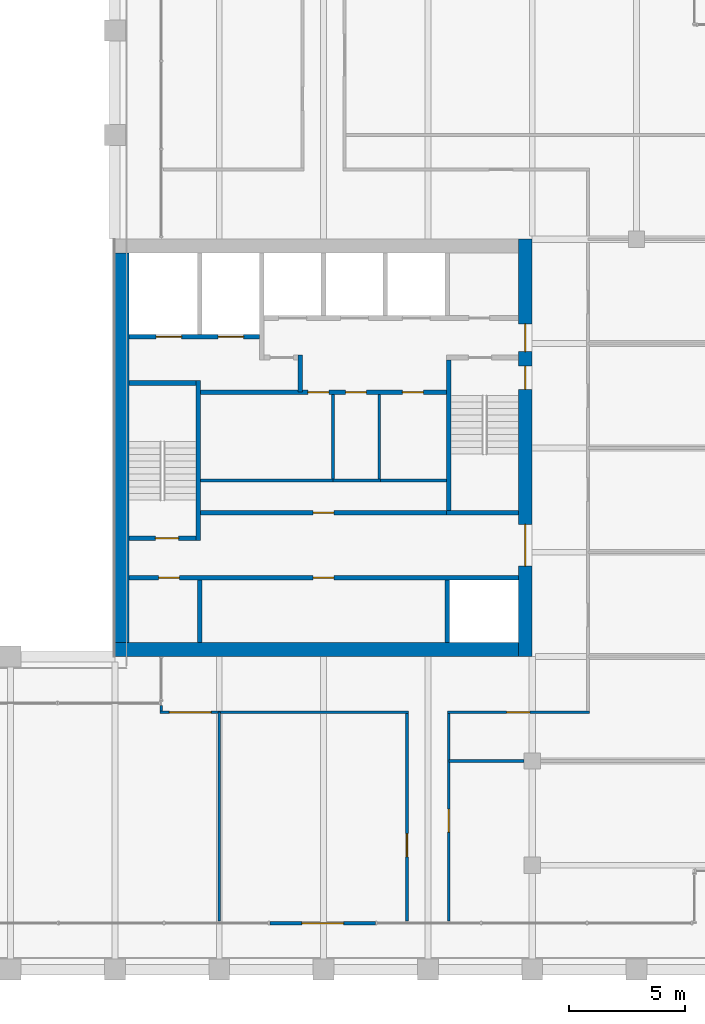
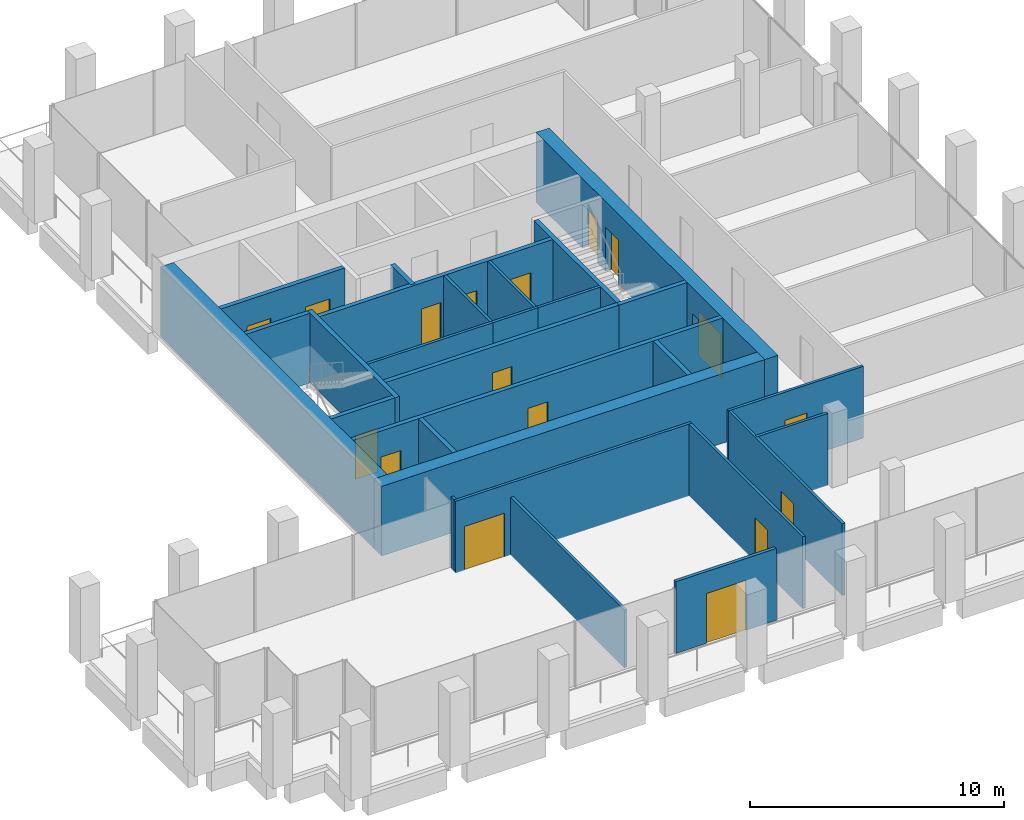
# One storey, part 36 of 40: 28 walls, 17 doors, 17 openings.
"""IFC4 building model written with IfcOpenShell, lengths in metres."""

from ifc_helpers import new_model, si_unit, direction, frame, frame_2d, origin, place, context, subcontext, project, spatial, rectangle, extrude, material, layer, layer_set, type_object, element, fill, save


model = new_model("IFC4")

# Units and contexts
model_context = context("Model", 3, precision=1e-05, world=origin(), true_north=direction((0.0, 1.0)))
body_context = subcontext(model_context, "Body", "Model", "MODEL_VIEW")
ifc_project = project(units=[si_unit("LENGTHUNIT", "METRE"), si_unit("AREAUNIT", "SQUARE_METRE"), si_unit("VOLUMEUNIT", "CUBIC_METRE"), si_unit("PLANEANGLEUNIT", "RADIAN"), si_unit("MASSUNIT", "GRAM", prefix="KILO")], contexts=[model_context])

# Site, building, storey
site_placement = place(None, origin())
site = spatial("IfcSite", under=ifc_project, at=site_placement, CompositionType="ELEMENT")
building_placement = place(site_placement, origin())
building = spatial("IfcBuilding", under=site, at=building_placement, Name="Altepetl Exchange Towers", CompositionType="ELEMENT")
storey_placement = place(building_placement, frame((0.0, 0.0, 179.800048828125)))
storey = spatial("IfcBuildingStorey", under=building, at=storey_placement, Name="L45", CompositionType="ELEMENT", Elevation=179.800048828125)

# Wall, openings, doors
ifc_material_1 = material(Name="Concrete C70/85", Category="concrete")
ifc_layer_1 = layer(ifc_material_1, 0.60009765625)
ifc_layer_set_1 = layer_set([ifc_layer_1], Name="Concrete C70/85")
wall_type_1 = type_object("IfcWallType", Name="Core wall 600 reinforced concrete", PredefinedType="SHEAR", material=ifc_layer_set_1)
wall_1_placement = place(storey_placement, frame((58.199951171875, 40.5, 0.0), z_axis=(0.0, 0.0, 1.0), x_axis=(0.0, 1.0, 0.0)))
wall_1 = element("IfcWall", 1, at=wall_1_placement, inside=storey, type_object=wall_type_1, Name="wall:A:L45:K-coreE", PredefinedType="SHEAR", context=body_context, shape_type="SweptSolid", body=[
    extrude(rectangle(XDim=18.0, YDim=0.60009765625, at=frame_2d((9.0, 0.0))), origin(), (0.0, 0.0, 1.0), 3.349853515625),
])
opening_1_placement = place(wall_1_placement, frame((13.14990234375, 0.0, 0.0)))
opening_1 = element("IfcOpeningElement", 2, at=opening_1_placement, cuts=wall_1, Name="Opening L45.A60", PredefinedType="OPENING", context=body_context, shape_type="SweptSolid", body=[
    extrude(rectangle(XDim=1.199951171875, YDim=2.10009765625, at=frame_2d((0.60009765625, 1.050048828125))), frame((0.0, 0.31005859375, 0.0), z_axis=(0.0, -1.0, 0.0), x_axis=(1.0, 0.0, 0.0)), (0.0, 0.0, 1.0), 0.6201171875),
])
opening_2_placement = place(wall_1_placement, frame((3.89990234375, 0.0, 0.0)))
opening_2 = element("IfcOpeningElement", 3, at=opening_2_placement, cuts=wall_1, Name="Opening L45.A61", PredefinedType="OPENING", context=body_context, shape_type="SweptSolid", body=[
    extrude(rectangle(XDim=1.800048828125, YDim=2.10009765625, at=frame_2d((0.89990234375, 1.050048828125))), frame((0.0, 0.31005859375, 0.0), z_axis=(0.0, -1.0, 0.0), x_axis=(1.0, 0.0, 0.0)), (0.0, 0.0, 1.0), 0.6201171875),
])
opening_3_placement = place(wall_1_placement, frame((11.52490234375, 0.0, 0.0)))
opening_3 = element("IfcOpeningElement", 4, at=opening_3_placement, cuts=wall_1, Name="Opening L45.A64", PredefinedType="OPENING", context=body_context, shape_type="SweptSolid", body=[
    extrude(rectangle(XDim=1.0, YDim=2.10009765625, at=frame_2d((0.5, 1.050048828125))), frame((0.0, 0.31005859375, 0.0), z_axis=(0.0, -1.0, 0.0), x_axis=(1.0, 0.0, 0.0)), (0.0, 0.0, 1.0), 0.6201171875),
])
ifc_material_2 = material(Name="Steel and timber fire door", Category="steel")
door_type_1 = type_object("IfcDoorType", Name="Fire door 1000 x 2100 stair and lobby", OperationType="SINGLE_SWING_LEFT", PredefinedType="DOOR", material=ifc_material_2)
door_1_placement = place(opening_3_placement, origin())
door_1 = element("IfcDoor", 5, at=door_1_placement, inside=storey, type_object=door_type_1, Name="door:A:L45:K-dS2x", OperationType="SINGLE_SWING_RIGHT", OverallHeight=2.10009765625, OverallWidth=1.0, PredefinedType="DOOR", context=body_context, shape_type="SweptSolid", body=[
    extrude(rectangle(XDim=1.0, YDim=2.10009765625, at=frame_2d((0.5, 1.050048828125))), frame((0.0, 0.02490234375, 0.0), z_axis=(0.0, -1.0, 0.0), x_axis=(1.0, 0.0, 0.0)), (0.0, 0.0, 1.0), 0.050048828125),
])
fill(opening_3, door_1)
door_type_2 = type_object("IfcDoorType", Name="Fire door 1200 x 2100 lobby entry", OperationType="SINGLE_SWING_LEFT", PredefinedType="DOOR", material=ifc_material_2)
door_2_placement = place(opening_1_placement, origin())
door_2 = element("IfcDoor", 6, at=door_2_placement, inside=storey, type_object=door_type_2, Name="door:A:L45:K-dLNE", OperationType="SINGLE_SWING_RIGHT", OverallHeight=2.10009765625, OverallWidth=1.199951171875, PredefinedType="DOOR", context=body_context, shape_type="SweptSolid", body=[
    extrude(rectangle(XDim=1.199951171875, YDim=2.10009765625, at=frame_2d((0.60009765625, 1.050048828125))), frame((0.0, 0.02490234375, 0.0), z_axis=(0.0, -1.0, 0.0), x_axis=(1.0, 0.0, 0.0)), (0.0, 0.0, 1.0), 0.050048828125),
])
fill(opening_1, door_2)
door_type_3 = type_object("IfcDoorType", Name="Fire door 1800 x 2100 lobby entry", OperationType="DOUBLE_DOOR_SINGLE_SWING", PredefinedType="DOOR", material=ifc_material_2)
door_3_placement = place(opening_2_placement, origin())
door_3 = element("IfcDoor", 7, at=door_3_placement, inside=storey, type_object=door_type_3, Name="door:A:L45:K-dLSE", OperationType="DOUBLE_DOOR_SINGLE_SWING", OverallHeight=2.10009765625, OverallWidth=1.800048828125, PredefinedType="DOOR", context=body_context, shape_type="SweptSolid", body=[
    extrude(rectangle(XDim=1.800048828125, YDim=2.10009765625, at=frame_2d((0.89990234375, 1.050048828125))), frame((0.0, 0.02490234375, 0.0), z_axis=(0.0, -1.0, 0.0), x_axis=(1.0, 0.0, 0.0)), (0.0, 0.0, 1.0), 0.050048828125),
])
fill(opening_2, door_3)

# Walls
wall_2_placement = place(storey_placement, frame((40.5, 40.800048828125, 0.0)))
element("IfcWall", 8, at=wall_2_placement, inside=storey, type_object=wall_type_1, Name="wall:A:L45:K-coreS", PredefinedType="SHEAR", context=body_context, shape_type="SweptSolid", body=[
    extrude(rectangle(XDim=17.39990234375, YDim=0.60009765625, at=frame_2d((8.699951171875, 0.0))), origin(), (0.0, 0.0, 1.0), 3.349853515625),
])
ifc_layer_2 = layer(ifc_material_1, 0.60009765625)
ifc_layer_set_2 = layer_set([ifc_layer_2], Name="Concrete C70/85")
wall_type_2 = type_object("IfcWallType", Name="Core wall 600 reinforced concrete external", PredefinedType="SHEAR", material=ifc_layer_set_2)
wall_3_placement = place(storey_placement, frame((40.800048828125, 41.10009765625, 0.0), z_axis=(0.0, 0.0, 1.0), x_axis=(0.0, 1.0, 0.0)))
element("IfcWall", 9, at=wall_3_placement, inside=storey, type_object=wall_type_2, Name="wall:A:L45:K-coreW", PredefinedType="SHEAR", context=body_context, shape_type="SweptSolid", body=[
    extrude(rectangle(XDim=16.7998046875, YDim=0.60009765625, at=frame_2d((8.39990234375, 0.0))), origin(), (0.0, 0.0, 1.0), 3.349853515625),
])

# Wall, opening, door
ifc_material_3 = material(Name="Aluminium composite cladding", Category="aluminium")
ifc_layer_3 = layer(ifc_material_3, 0.14990234375)
ifc_layer_set_3 = layer_set([ifc_layer_3], Name="Aluminium composite cladding")
wall_type_3 = type_object("IfcWallType", Name="Infill wall 150 aluminium panel", PredefinedType="SOLIDWALL", material=ifc_layer_set_3)
wall_4_placement = place(storey_placement, frame((47.18212890625, 29.0, 0.0)))
wall_4 = element("IfcWall", 10, at=wall_4_placement, inside=storey, type_object=wall_type_3, Name="Loggia door bay wall", PredefinedType="SOLIDWALL", context=body_context, shape_type="SweptSolid", body=[
    extrude(rectangle(XDim=4.560791015625, YDim=0.14990234375, at=frame_2d((2.2802734375, 0.0))), origin(), (0.0, 0.0, 1.0), 3.449951171875),
])
opening_4_placement = place(wall_4_placement, frame((1.38037109375, 0.0, 0.0)))
opening_4 = element("IfcOpeningElement", 11, at=opening_4_placement, cuts=wall_4, Name="Opening L45.A90", PredefinedType="OPENING", context=body_context, shape_type="SweptSolid", body=[
    extrude(rectangle(XDim=1.800048828125, YDim=2.39990234375, at=frame_2d((0.89990234375, 1.199951171875))), frame((0.0, 0.0849609375, 0.0), z_axis=(0.0, -1.0, 0.0), x_axis=(1.0, 0.0, 0.0)), (0.0, 0.0, 1.0), 0.169921875),
])
ifc_material_4 = material(Name="Aluminium 6063-T6 and glass", Category="aluminium")
door_type_4 = type_object("IfcDoorType", Name="Glazed door pair 1800x2400", OperationType="DOUBLE_DOOR_DOUBLE_SWING", PredefinedType="NOTDEFINED", material=ifc_material_4)
door_4_placement = place(opening_4_placement, frame((1.800048828125, 0.0, 0.0), x_axis=(-1.0, 0.0, 0.0)))
door_4 = element("IfcDoor", 12, at=door_4_placement, inside=storey, type_object=door_type_4, Name="Loggia door", OperationType="DOUBLE_DOOR_DOUBLE_SWING", OverallHeight=2.39990234375, OverallWidth=1.800048828125, PredefinedType="NOTDEFINED", context=body_context, shape_type="SweptSolid", body=[
    extrude(rectangle(XDim=1.800048828125, YDim=2.39990234375, at=frame_2d((0.89990234375, 1.199951171875))), frame((0.0, 0.02490234375, 0.0), z_axis=(0.0, -1.0, 0.0), x_axis=(1.0, 0.0, 0.0)), (0.0, 0.0, 1.0), 0.050048828125),
])
fill(opening_4, door_4)

# Wall
ifc_material_5 = material(Name="Concrete blockwork", Category="masonry")
ifc_layer_4 = layer(ifc_material_5, 0.199951171875)
ifc_layer_set_4 = layer_set([ifc_layer_4], Name="Concrete blockwork")
wall_type_4 = type_object("IfcWallType", Name="Lobby wall 200 blockwork", PredefinedType="PARTITIONING", material=ifc_layer_set_4)
wall_5_placement = place(storey_placement, frame((48.5, 51.89990234375, 0.0), z_axis=(0.0, 0.0, 1.0), x_axis=(0.0, 1.0, 0.0)))
element("IfcWall", 13, at=wall_5_placement, inside=storey, type_object=wall_type_4, Name="wall:A:L45:K-ffE", PredefinedType="PARTITIONING", context=body_context, shape_type="SweptSolid", body=[
    extrude(rectangle(XDim=1.60009765625, YDim=0.199951171875, at=frame_2d((0.800048828125, 0.0))), origin(), (0.0, 0.0, 1.0), 3.349853515625),
])

# Wall, openings, doors
wall_6_placement = place(storey_placement, frame((44.199951171875, 51.89990234375, 0.0)))
wall_6 = element("IfcWall", 14, at=wall_6_placement, inside=storey, type_object=wall_type_4, Name="wall:A:L45:K-zoneN", PredefinedType="PARTITIONING", context=body_context, shape_type="SweptSolid", body=[
    extrude(rectangle(XDim=10.60009765625, YDim=0.199951171875, at=frame_2d((5.300048828125, 0.0))), origin(), (0.0, 0.0, 1.0), 3.349853515625),
])
opening_5_placement = place(wall_6_placement, frame((4.625, 0.0, 0.0)))
opening_5 = element("IfcOpeningElement", 15, at=opening_5_placement, cuts=wall_6, Name="Opening L45.A70", PredefinedType="OPENING", context=body_context, shape_type="SweptSolid", body=[
    extrude(rectangle(XDim=0.89990234375, YDim=2.10009765625, at=frame_2d((0.449951171875, 1.050048828125))), frame((0.0, 0.10986328125, 0.0), z_axis=(0.0, -1.0, 0.0), x_axis=(1.0, 0.0, 0.0)), (0.0, 0.0, 1.0), 0.219970703125),
])
opening_6_placement = place(wall_6_placement, frame((6.25, 0.0, 0.0)))
opening_6 = element("IfcOpeningElement", 16, at=opening_6_placement, cuts=wall_6, Name="Opening L45.A71", PredefinedType="OPENING", context=body_context, shape_type="SweptSolid", body=[
    extrude(rectangle(XDim=0.89990234375, YDim=2.10009765625, at=frame_2d((0.449951171875, 1.050048828125))), frame((0.0, 0.10986328125, 0.0), z_axis=(0.0, -1.0, 0.0), x_axis=(1.0, 0.0, 0.0)), (0.0, 0.0, 1.0), 0.219970703125),
])
opening_7_placement = place(wall_6_placement, frame((8.699951171875, 0.0, 0.0)))
opening_7 = element("IfcOpeningElement", 17, at=opening_7_placement, cuts=wall_6, Name="Opening L45.A72", PredefinedType="OPENING", context=body_context, shape_type="SweptSolid", body=[
    extrude(rectangle(XDim=0.89990234375, YDim=2.10009765625, at=frame_2d((0.449951171875, 1.050048828125))), frame((0.0, 0.10986328125, 0.0), z_axis=(0.0, -1.0, 0.0), x_axis=(1.0, 0.0, 0.0)), (0.0, 0.0, 1.0), 0.219970703125),
])
door_type_5 = type_object("IfcDoorType", Name="Fire door 900 x 2100 service room", OperationType="SINGLE_SWING_LEFT", PredefinedType="DOOR", material=ifc_material_2)
door_5_placement = place(opening_5_placement, frame((0.89990234375, 0.0, 0.0), x_axis=(-1.0, 0.0, 0.0)))
door_5 = element("IfcDoor", 18, at=door_5_placement, inside=storey, type_object=door_type_5, Name="door:A:L45:K-dz2", OperationType="SINGLE_SWING_RIGHT", OverallHeight=2.10009765625, OverallWidth=0.89990234375, PredefinedType="DOOR", context=body_context, shape_type="SweptSolid", body=[
    extrude(rectangle(XDim=0.89990234375, YDim=2.10009765625, at=frame_2d((0.449951171875, 1.050048828125))), frame((0.0, 0.02490234375, 0.0), z_axis=(0.0, -1.0, 0.0), x_axis=(1.0, 0.0, 0.0)), (0.0, 0.0, 1.0), 0.050048828125),
])
fill(opening_5, door_5)
door_6_placement = place(opening_6_placement, frame((0.89990234375, 0.0, 0.0), x_axis=(-1.0, 0.0, 0.0)))
door_6 = element("IfcDoor", 19, at=door_6_placement, inside=storey, type_object=door_type_5, Name="door:A:L45:K-dz3", OperationType="SINGLE_SWING_LEFT", OverallHeight=2.10009765625, OverallWidth=0.89990234375, PredefinedType="DOOR", context=body_context, shape_type="SweptSolid", body=[
    extrude(rectangle(XDim=0.89990234375, YDim=2.10009765625, at=frame_2d((0.449951171875, 1.050048828125))), frame((0.0, 0.02490234375, 0.0), z_axis=(0.0, -1.0, 0.0), x_axis=(1.0, 0.0, 0.0)), (0.0, 0.0, 1.0), 0.050048828125),
])
fill(opening_6, door_6)
door_7_placement = place(opening_7_placement, frame((0.89990234375, 0.0, 0.0), x_axis=(-1.0, 0.0, 0.0)))
door_7 = element("IfcDoor", 20, at=door_7_placement, inside=storey, type_object=door_type_5, Name="door:A:L45:K-dz4", OperationType="SINGLE_SWING_LEFT", OverallHeight=2.10009765625, OverallWidth=0.89990234375, PredefinedType="DOOR", context=body_context, shape_type="SweptSolid", body=[
    extrude(rectangle(XDim=0.89990234375, YDim=2.10009765625, at=frame_2d((0.449951171875, 1.050048828125))), frame((0.0, 0.02490234375, 0.0), z_axis=(0.0, -1.0, 0.0), x_axis=(1.0, 0.0, 0.0)), (0.0, 0.0, 1.0), 0.050048828125),
])
fill(opening_7, door_7)

# Wall, opening, door
wall_7_placement = place(storey_placement, frame((44.199951171875, 46.699951171875, 0.0)))
wall_7 = element("IfcWall", 21, at=wall_7_placement, inside=storey, type_object=wall_type_4, Name="wall:A:L45:K-zoneS", PredefinedType="PARTITIONING", context=body_context, shape_type="SweptSolid", body=[
    extrude(rectangle(XDim=10.60009765625, YDim=0.199951171875, at=frame_2d((5.300048828125, 0.0))), origin(), (0.0, 0.0, 1.0), 3.349853515625),
])
opening_8_placement = place(wall_7_placement, frame((4.85009765625, 0.0, 0.0)))
opening_8 = element("IfcOpeningElement", 22, at=opening_8_placement, cuts=wall_7, Name="Opening L45.A69", PredefinedType="OPENING", context=body_context, shape_type="SweptSolid", body=[
    extrude(rectangle(XDim=0.89990234375, YDim=2.10009765625, at=frame_2d((0.449951171875, 1.050048828125))), frame((0.0, 0.10986328125, 0.0), z_axis=(0.0, -1.0, 0.0), x_axis=(1.0, 0.0, 0.0)), (0.0, 0.0, 1.0), 0.219970703125),
])
door_8_placement = place(opening_8_placement, origin())
door_8 = element("IfcDoor", 23, at=door_8_placement, inside=storey, type_object=door_type_5, Name="door:A:L45:K-dz1", OperationType="SINGLE_SWING_LEFT", OverallHeight=2.10009765625, OverallWidth=0.89990234375, PredefinedType="DOOR", context=body_context, shape_type="SweptSolid", body=[
    extrude(rectangle(XDim=0.89990234375, YDim=2.10009765625, at=frame_2d((0.449951171875, 1.050048828125))), frame((0.0, 0.02490234375, 0.0), z_axis=(0.0, -1.0, 0.0), x_axis=(1.0, 0.0, 0.0)), (0.0, 0.0, 1.0), 0.050048828125),
])
fill(opening_8, door_8)

# Walls
ifc_material_6 = material(Name="Gypsum board on steel studs", Category="steel")
ifc_layer_5 = layer(ifc_material_6, 0.125)
ifc_layer_set_5 = layer_set([ifc_layer_5], Name="Gypsum board on steel studs")
wall_type_5 = type_object("IfcWallType", Name="Partition 125 gypsum board on steel studs", PredefinedType="PARTITIONING", material=ifc_layer_set_5)
wall_8_placement = place(storey_placement, frame((49.96240234375, 48.10009765625, 0.0), z_axis=(0.0, 0.0, 1.0), x_axis=(-1.0, 0.0, 0.0)))
element("IfcWall", 24, at=wall_8_placement, inside=storey, type_object=wall_type_5, Name="wall:A:L45:K-zp1", PredefinedType="PARTITIONING", context=body_context, shape_type="SweptSolid", body=[
    extrude(rectangle(XDim=5.762451171875, YDim=0.125, at=frame_2d((2.88134765625, 0.0))), origin(), (0.0, 0.0, 1.0), 3.349853515625),
])
wall_9_placement = place(storey_placement, frame((51.96240234375, 48.10009765625, 0.0), z_axis=(0.0, 0.0, 1.0), x_axis=(-1.0, 0.0, 0.0)))
element("IfcWall", 25, at=wall_9_placement, inside=storey, type_object=wall_type_5, Name="wall:A:L45:K-zp2", PredefinedType="PARTITIONING", context=body_context, shape_type="SweptSolid", body=[
    extrude(rectangle(XDim=2.0625, YDim=0.125, at=frame_2d((1.03125, 0.0))), origin(), (0.0, 0.0, 1.0), 3.349853515625),
])
wall_10_placement = place(storey_placement, frame((49.89990234375, 48.16259765625, 0.0), z_axis=(0.0, 0.0, 1.0), x_axis=(0.0, 1.0, 0.0)))
element("IfcWall", 26, at=wall_10_placement, inside=storey, type_object=wall_type_5, Name="wall:A:L45:K-zp3", PredefinedType="PARTITIONING", context=body_context, shape_type="SweptSolid", body=[
    extrude(rectangle(XDim=3.637451171875, YDim=0.125, at=frame_2d((1.81884765625, 0.0))), origin(), (0.0, 0.0, 1.0), 3.349853515625),
])
wall_11_placement = place(storey_placement, frame((54.800048828125, 48.10009765625, 0.0), z_axis=(0.0, 0.0, 1.0), x_axis=(-1.0, 0.0, 0.0)))
element("IfcWall", 27, at=wall_11_placement, inside=storey, type_object=wall_type_5, Name="wall:A:L45:K-zp4", PredefinedType="PARTITIONING", context=body_context, shape_type="SweptSolid", body=[
    extrude(rectangle(XDim=2.900146484375, YDim=0.125, at=frame_2d((1.4501953125, 0.0))), origin(), (0.0, 0.0, 1.0), 3.349853515625),
])
wall_12_placement = place(storey_placement, frame((51.89990234375, 48.16259765625, 0.0), z_axis=(0.0, 0.0, 1.0), x_axis=(0.0, 1.0, 0.0)))
element("IfcWall", 28, at=wall_12_placement, inside=storey, type_object=wall_type_5, Name="wall:A:L45:K-zp5", PredefinedType="PARTITIONING", context=body_context, shape_type="SweptSolid", body=[
    extrude(rectangle(XDim=3.637451171875, YDim=0.125, at=frame_2d((1.81884765625, 0.0))), origin(), (0.0, 0.0, 1.0), 3.349853515625),
])
wall_13_placement = place(storey_placement, frame((54.89990234375, 36.0, 0.0)))
element("IfcWall", 29, at=wall_13_placement, inside=storey, type_object=wall_type_5, Name="wall:A:L45:P01", PredefinedType="PARTITIONING", context=body_context, shape_type="SweptSolid", body=[
    extrude(rectangle(XDim=3.25, YDim=0.125, at=frame_2d((1.625, 0.0))), origin(), (0.0, 0.0, 1.0), 3.449951171875),
])

# Wall, opening, door
wall_14_placement = place(storey_placement, frame((42.4375, 38.10009765625, 0.0)))
wall_14 = element("IfcWall", 30, at=wall_14_placement, inside=storey, type_object=wall_type_5, Name="wall:A:L45:P03", PredefinedType="PARTITIONING", context=body_context, shape_type="SweptSolid", body=[
    extrude(rectangle(XDim=10.72509765625, YDim=0.125, at=frame_2d((5.362548828125, 0.0))), origin(), (0.0, 0.0, 1.0), 3.449951171875),
])
opening_9_placement = place(wall_14_placement, frame((0.41259765625, 0.0, 0.0)))
opening_9 = element("IfcOpeningElement", 31, at=opening_9_placement, cuts=wall_14, Name="Opening L45.A01", PredefinedType="OPENING", context=body_context, shape_type="SweptSolid", body=[
    extrude(rectangle(XDim=1.800048828125, YDim=2.10009765625, at=frame_2d((0.89990234375, 1.050048828125))), frame((0.0, 0.072509765625, 0.0), z_axis=(0.0, -1.0, 0.0), x_axis=(1.0, 0.0, 0.0)), (0.0, 0.0, 1.0), 0.14501953125),
])
door_type_6 = type_object("IfcDoorType", Name="Fire door 1800 x 2100 double leaf", OperationType="DOUBLE_DOOR_SINGLE_SWING", PredefinedType="DOOR", material=ifc_material_2)
door_9_placement = place(opening_9_placement, frame((1.800048828125, 0.0, 0.0), x_axis=(-1.0, 0.0, 0.0)))
door_9 = element("IfcDoor", 32, at=door_9_placement, inside=storey, type_object=door_type_6, Name="door:A:L45:01", OperationType="DOUBLE_DOOR_SINGLE_SWING", OverallHeight=2.10009765625, OverallWidth=1.800048828125, PredefinedType="DOOR", context=body_context, shape_type="SweptSolid", body=[
    extrude(rectangle(XDim=1.800048828125, YDim=2.10009765625, at=frame_2d((0.89990234375, 1.050048828125))), frame((0.0, 0.02490234375, 0.0), z_axis=(0.0, -1.0, 0.0), x_axis=(1.0, 0.0, 0.0)), (0.0, 0.0, 1.0), 0.050048828125),
])
fill(opening_9, door_9)

wall_15_placement = place(storey_placement, frame((54.83740234375, 38.10009765625, 0.0)))
wall_15 = element("IfcWall", 33, at=wall_15_placement, inside=storey, type_object=wall_type_5, Name="wall:A:L45:P04", PredefinedType="PARTITIONING", context=body_context, shape_type="SweptSolid", body=[
    extrude(rectangle(XDim=6.125, YDim=0.125, at=frame_2d((3.0625, 0.0))), origin(), (0.0, 0.0, 1.0), 3.449951171875),
])
opening_10_placement = place(wall_15_placement, frame((2.5625, 0.0, 0.0)))
opening_10 = element("IfcOpeningElement", 34, at=opening_10_placement, cuts=wall_15, Name="Opening L45.A04", PredefinedType="OPENING", context=body_context, shape_type="SweptSolid", body=[
    extrude(rectangle(XDim=1.0, YDim=2.10009765625, at=frame_2d((0.5, 1.050048828125))), frame((0.0, 0.072509765625, 0.0), z_axis=(0.0, -1.0, 0.0), x_axis=(1.0, 0.0, 0.0)), (0.0, 0.0, 1.0), 0.14501953125),
])
door_type_7 = type_object("IfcDoorType", Name="Fire door 1000 x 2100 single leaf", OperationType="SINGLE_SWING_LEFT", PredefinedType="DOOR", material=ifc_material_2)
door_10_placement = place(opening_10_placement, origin())
door_10 = element("IfcDoor", 35, at=door_10_placement, inside=storey, type_object=door_type_7, Name="door:A:L45:04", OperationType="SINGLE_SWING_LEFT", OverallHeight=2.10009765625, OverallWidth=1.0, PredefinedType="DOOR", context=body_context, shape_type="SweptSolid", body=[
    extrude(rectangle(XDim=1.0, YDim=2.10009765625, at=frame_2d((0.5, 1.050048828125))), frame((0.0, 0.02490234375, 0.0), z_axis=(0.0, -1.0, 0.0), x_axis=(1.0, 0.0, 0.0)), (0.0, 0.0, 1.0), 0.050048828125),
])
fill(opening_10, door_10)

# Walls
wall_16_placement = place(storey_placement, frame((42.5, 38.16259765625, 0.0), z_axis=(0.0, 0.0, 1.0), x_axis=(0.0, 1.0, 0.0)))
element("IfcWall", 36, at=wall_16_placement, inside=storey, type_object=wall_type_5, Name="wall:A:L45:P15", PredefinedType="PARTITIONING", context=body_context, shape_type="SweptSolid", body=[
    extrude(rectangle(XDim=0.2373046875, YDim=0.125, at=frame_2d((0.11865234375, 0.0))), origin(), (0.0, 0.0, 1.0), 3.449951171875),
])
wall_17_placement = place(storey_placement, frame((45.0, 29.10009765625, 0.0), z_axis=(0.0, 0.0, 1.0), x_axis=(0.0, 1.0, 0.0)))
element("IfcWall", 37, at=wall_17_placement, inside=storey, type_object=wall_type_5, Name="wall:A:L45:P16", PredefinedType="PARTITIONING", context=body_context, shape_type="SweptSolid", body=[
    extrude(rectangle(XDim=9.0, YDim=0.125, at=frame_2d((4.5, 0.0))), origin(), (0.0, 0.0, 1.0), 2.765869140625),
])

# Wall, opening, door
wall_18_placement = place(storey_placement, frame((53.10009765625, 29.10009765625, 0.0), z_axis=(0.0, 0.0, 1.0), x_axis=(0.0, 1.0, 0.0)))
wall_18 = element("IfcWall", 38, at=wall_18_placement, inside=storey, type_object=wall_type_5, Name="wall:A:L45:P19", PredefinedType="PARTITIONING", context=body_context, shape_type="SweptSolid", body=[
    extrude(rectangle(XDim=8.9375, YDim=0.125, at=frame_2d((4.46875, 0.0))), origin(), (0.0, 0.0, 1.0), 3.449951171875),
])
opening_11_placement = place(wall_18_placement, frame((2.758056640625, 0.0, 0.0)))
opening_11 = element("IfcOpeningElement", 39, at=opening_11_placement, cuts=wall_18, Name="Opening L45.A02", PredefinedType="OPENING", context=body_context, shape_type="SweptSolid", body=[
    extrude(rectangle(XDim=1.0, YDim=2.10009765625, at=frame_2d((0.5, 1.050048828125))), frame((0.0, 0.072509765625, 0.0), z_axis=(0.0, -1.0, 0.0), x_axis=(1.0, 0.0, 0.0)), (0.0, 0.0, 1.0), 0.14501953125),
])
door_11_placement = place(opening_11_placement, origin())
door_11 = element("IfcDoor", 40, at=door_11_placement, inside=storey, type_object=door_type_7, Name="door:A:L45:02", OperationType="SINGLE_SWING_RIGHT", OverallHeight=2.10009765625, OverallWidth=1.0, PredefinedType="DOOR", context=body_context, shape_type="SweptSolid", body=[
    extrude(rectangle(XDim=1.0, YDim=2.10009765625, at=frame_2d((0.5, 1.050048828125))), frame((0.0, 0.02490234375, 0.0), z_axis=(0.0, -1.0, 0.0), x_axis=(1.0, 0.0, 0.0)), (0.0, 0.0, 1.0), 0.050048828125),
])
fill(opening_11, door_11)

wall_19_placement = place(storey_placement, frame((54.89990234375, 29.10009765625, 0.0), z_axis=(0.0, 0.0, 1.0), x_axis=(0.0, 1.0, 0.0)))
wall_19 = element("IfcWall", 41, at=wall_19_placement, inside=storey, type_object=wall_type_5, Name="wall:A:L45:P20", PredefinedType="PARTITIONING", context=body_context, shape_type="SweptSolid", body=[
    extrude(rectangle(XDim=8.9375, YDim=0.125, at=frame_2d((4.46875, 0.0))), origin(), (0.0, 0.0, 1.0), 3.449951171875),
])
opening_12_placement = place(wall_19_placement, frame((3.824951171875, 0.0, 0.0)))
opening_12 = element("IfcOpeningElement", 42, at=opening_12_placement, cuts=wall_19, Name="Opening L45.A03", PredefinedType="OPENING", context=body_context, shape_type="SweptSolid", body=[
    extrude(rectangle(XDim=1.0, YDim=2.10009765625, at=frame_2d((0.5, 1.050048828125))), frame((0.0, 0.072509765625, 0.0), z_axis=(0.0, -1.0, 0.0), x_axis=(1.0, 0.0, 0.0)), (0.0, 0.0, 1.0), 0.14501953125),
])
door_12_placement = place(opening_12_placement, frame((1.0, 0.0, 0.0), x_axis=(-1.0, 0.0, 0.0)))
door_12 = element("IfcDoor", 43, at=door_12_placement, inside=storey, type_object=door_type_7, Name="door:A:L45:03", OperationType="SINGLE_SWING_LEFT", OverallHeight=2.10009765625, OverallWidth=1.0, PredefinedType="DOOR", context=body_context, shape_type="SweptSolid", body=[
    extrude(rectangle(XDim=1.0, YDim=2.10009765625, at=frame_2d((0.5, 1.050048828125))), frame((0.0, 0.02490234375, 0.0), z_axis=(0.0, -1.0, 0.0), x_axis=(1.0, 0.0, 0.0)), (0.0, 0.0, 1.0), 0.050048828125),
])
fill(opening_12, door_12)

# Wall
ifc_material_7 = material(Name="Concrete C40/50", Category="concrete")
ifc_layer_6 = layer(ifc_material_7, 0.199951171875)
ifc_layer_set_6 = layer_set([ifc_layer_6], Name="Concrete C40/50")
wall_type_6 = type_object("IfcWallType", Name="Shaft wall 200 reinforced concrete", PredefinedType="SHEAR", material=ifc_layer_set_6)
wall_20_placement = place(storey_placement, frame((54.833251953125, 41.10009765625, 0.0), z_axis=(0.0, 0.0, 1.0), x_axis=(0.0, 1.0, 0.0)))
element("IfcWall", 44, at=wall_20_placement, inside=storey, type_object=wall_type_6, Name="wall:A:L45:K-divS5", PredefinedType="SHEAR", context=body_context, shape_type="SweptSolid", body=[
    extrude(rectangle(XDim=2.699951171875, YDim=0.199951171875, at=frame_2d((1.35009765625, 0.0))), origin(), (0.0, 0.0, 1.0), 3.349853515625),
])

# Wall, openings, doors
wall_21_placement = place(storey_placement, frame((41.10009765625, 54.300048828125, 0.0)))
wall_21 = element("IfcWall", 45, at=wall_21_placement, inside=storey, type_object=wall_type_6, Name="wall:A:L45:K-frontNd", PredefinedType="SHEAR", context=body_context, shape_type="SweptSolid", body=[
    extrude(rectangle(XDim=5.63330078125, YDim=0.199951171875, at=frame_2d((2.816650390625, 0.0))), origin(), (0.0, 0.0, 1.0), 3.349853515625),
])
opening_13_placement = place(wall_21_placement, frame((1.183349609375, 0.0, 0.0)))
opening_13 = element("IfcOpeningElement", 46, at=opening_13_placement, cuts=wall_21, Name="Opening L45.A73", PredefinedType="OPENING", context=body_context, shape_type="SweptSolid", body=[
    extrude(rectangle(XDim=1.10009765625, YDim=2.10009765625, at=frame_2d((0.550048828125, 1.050048828125))), frame((0.0, 0.10986328125, 0.0), z_axis=(0.0, -1.0, 0.0), x_axis=(1.0, 0.0, 0.0)), (0.0, 0.0, 1.0), 0.219970703125),
])
opening_14_placement = place(wall_21_placement, frame((3.85009765625, 0.0, 0.0)))
opening_14 = element("IfcOpeningElement", 47, at=opening_14_placement, cuts=wall_21, Name="Opening L45.A74", PredefinedType="OPENING", context=body_context, shape_type="SweptSolid", body=[
    extrude(rectangle(XDim=1.10009765625, YDim=2.10009765625, at=frame_2d((0.550048828125, 1.050048828125))), frame((0.0, 0.10986328125, 0.0), z_axis=(0.0, -1.0, 0.0), x_axis=(1.0, 0.0, 0.0)), (0.0, 0.0, 1.0), 0.219970703125),
])
ifc_material_8 = material(Name="Stainless steel", Category="steel")
door_type_8 = type_object("IfcDoorType", Name="Lift landing door 1100 x 2100", OperationType="SLIDING_TO_LEFT", PredefinedType="DOOR", material=ifc_material_8)
door_13_placement = place(opening_13_placement, origin())
door_13 = element("IfcDoor", 48, at=door_13_placement, inside=storey, type_object=door_type_8, Name="Landing door FFL1", OperationType="SLIDING_TO_LEFT", OverallHeight=2.10009765625, OverallWidth=1.10009765625, PredefinedType="DOOR", context=body_context, shape_type="SweptSolid", body=[
    extrude(rectangle(XDim=1.10009765625, YDim=2.10009765625, at=frame_2d((0.550048828125, 1.050048828125))), frame((0.0, 0.02490234375, 0.0), z_axis=(0.0, -1.0, 0.0), x_axis=(1.0, 0.0, 0.0)), (0.0, 0.0, 1.0), 0.050048828125),
])
fill(opening_13, door_13)
door_14_placement = place(opening_14_placement, origin())
door_14 = element("IfcDoor", 49, at=door_14_placement, inside=storey, type_object=door_type_8, Name="Landing door FFL2", OperationType="SLIDING_TO_LEFT", OverallHeight=2.10009765625, OverallWidth=1.10009765625, PredefinedType="DOOR", context=body_context, shape_type="SweptSolid", body=[
    extrude(rectangle(XDim=1.10009765625, YDim=2.10009765625, at=frame_2d((0.550048828125, 1.050048828125))), frame((0.0, 0.02490234375, 0.0), z_axis=(0.0, -1.0, 0.0), x_axis=(1.0, 0.0, 0.0)), (0.0, 0.0, 1.0), 0.050048828125),
])
fill(opening_14, door_14)

wall_22_placement = place(storey_placement, frame((41.10009765625, 43.89990234375, 0.0)))
wall_22 = element("IfcWall", 50, at=wall_22_placement, inside=storey, type_object=wall_type_6, Name="wall:A:L45:K-frontS", PredefinedType="SHEAR", context=body_context, shape_type="SweptSolid", body=[
    extrude(rectangle(XDim=16.7998046875, YDim=0.199951171875, at=frame_2d((8.39990234375, 0.0))), origin(), (0.0, 0.0, 1.0), 3.349853515625),
])
opening_15_placement = place(wall_22_placement, frame((1.283203125, 0.0, 0.0)))
opening_15 = element("IfcOpeningElement", 51, at=opening_15_placement, cuts=wall_22, Name="Opening L45.A67", PredefinedType="OPENING", context=body_context, shape_type="SweptSolid", body=[
    extrude(rectangle(XDim=0.89990234375, YDim=2.10009765625, at=frame_2d((0.449951171875, 1.050048828125))), frame((0.0, 0.10986328125, 0.0), z_axis=(0.0, -1.0, 0.0), x_axis=(1.0, 0.0, 0.0)), (0.0, 0.0, 1.0), 0.219970703125),
])
opening_16_placement = place(wall_22_placement, frame((7.949951171875, 0.0, 0.0)))
opening_16 = element("IfcOpeningElement", 52, at=opening_16_placement, cuts=wall_22, Name="Opening L45.A68", PredefinedType="OPENING", context=body_context, shape_type="SweptSolid", body=[
    extrude(rectangle(XDim=0.89990234375, YDim=2.10009765625, at=frame_2d((0.449951171875, 1.050048828125))), frame((0.0, 0.10986328125, 0.0), z_axis=(0.0, -1.0, 0.0), x_axis=(1.0, 0.0, 0.0)), (0.0, 0.0, 1.0), 0.219970703125),
])
door_15_placement = place(opening_15_placement, frame((0.89990234375, 0.0, 0.0), x_axis=(-1.0, 0.0, 0.0)))
door_15 = element("IfcDoor", 53, at=door_15_placement, inside=storey, type_object=door_type_5, Name="door:A:L45:K-dslotS0", OperationType="SINGLE_SWING_LEFT", OverallHeight=2.10009765625, OverallWidth=0.89990234375, PredefinedType="DOOR", context=body_context, shape_type="SweptSolid", body=[
    extrude(rectangle(XDim=0.89990234375, YDim=2.10009765625, at=frame_2d((0.449951171875, 1.050048828125))), frame((0.0, 0.02490234375, 0.0), z_axis=(0.0, -1.0, 0.0), x_axis=(1.0, 0.0, 0.0)), (0.0, 0.0, 1.0), 0.050048828125),
])
fill(opening_15, door_15)
door_16_placement = place(opening_16_placement, frame((0.89990234375, 0.0, 0.0), x_axis=(-1.0, 0.0, 0.0)))
door_16 = element("IfcDoor", 54, at=door_16_placement, inside=storey, type_object=door_type_5, Name="door:A:L45:K-dslotS1", OperationType="SINGLE_SWING_LEFT", OverallHeight=2.10009765625, OverallWidth=0.89990234375, PredefinedType="DOOR", context=body_context, shape_type="SweptSolid", body=[
    extrude(rectangle(XDim=0.89990234375, YDim=2.10009765625, at=frame_2d((0.449951171875, 1.050048828125))), frame((0.0, 0.02490234375, 0.0), z_axis=(0.0, -1.0, 0.0), x_axis=(1.0, 0.0, 0.0)), (0.0, 0.0, 1.0), 0.050048828125),
])
fill(opening_16, door_16)

# Walls
ifc_layer_7 = layer(ifc_material_1, 0.199951171875)
ifc_layer_set_7 = layer_set([ifc_layer_7], Name="Concrete C70/85")
wall_type_7 = type_object("IfcWallType", Name="Shear wall 200 reinforced concrete", PredefinedType="SHEAR", material=ifc_layer_set_7)
wall_23_placement = place(storey_placement, frame((44.166748046875, 41.10009765625, 0.0), z_axis=(0.0, 0.0, 1.0), x_axis=(0.0, 1.0, 0.0)))
element("IfcWall", 55, at=wall_23_placement, inside=storey, type_object=wall_type_7, Name="wall:A:L45:K-divS1", PredefinedType="SHEAR", context=body_context, shape_type="SweptSolid", body=[
    extrude(rectangle(XDim=2.699951171875, YDim=0.199951171875, at=frame_2d((1.35009765625, 0.0))), origin(), (0.0, 0.0, 1.0), 3.349853515625),
])
ifc_layer_8 = layer(ifc_material_7, 0.199951171875)
ifc_layer_set_8 = layer_set([ifc_layer_8], Name="Concrete C40/50")
wall_type_8 = type_object("IfcWallType", Name="Stair wall 200 reinforced concrete", PredefinedType="SHEAR", material=ifc_layer_set_8)
wall_24_placement = place(storey_placement, frame((44.10009765625, 45.5, 0.0), z_axis=(0.0, 0.0, 1.0), x_axis=(0.0, 1.0, 0.0)))
element("IfcWall", 56, at=wall_24_placement, inside=storey, type_object=wall_type_8, Name="wall:A:L45:K-stS1E", PredefinedType="SHEAR", context=body_context, shape_type="SweptSolid", body=[
    extrude(rectangle(XDim=6.89990234375, YDim=0.199951171875, at=frame_2d((3.449951171875, 0.0))), origin(), (0.0, 0.0, 1.0), 3.349853515625),
])
wall_25_placement = place(storey_placement, frame((41.10009765625, 52.300048828125, 0.0)))
element("IfcWall", 57, at=wall_25_placement, inside=storey, type_object=wall_type_8, Name="wall:A:L45:K-stS1N", PredefinedType="SHEAR", context=body_context, shape_type="SweptSolid", body=[
    extrude(rectangle(XDim=2.89990234375, YDim=0.199951171875, at=frame_2d((1.449951171875, 0.0))), origin(), (0.0, 0.0, 1.0), 3.349853515625),
])

# Wall, opening, door
wall_26_placement = place(storey_placement, frame((41.10009765625, 45.60009765625, 0.0)))
wall_26 = element("IfcWall", 58, at=wall_26_placement, inside=storey, type_object=wall_type_8, Name="wall:A:L45:K-stS1S", PredefinedType="SHEAR", context=body_context, shape_type="SweptSolid", body=[
    extrude(rectangle(XDim=2.89990234375, YDim=0.199951171875, at=frame_2d((1.449951171875, 0.0))), origin(), (0.0, 0.0, 1.0), 3.349853515625),
])
opening_17_placement = place(wall_26_placement, frame((1.14990234375, 0.0, 0.0)))
opening_17 = element("IfcOpeningElement", 59, at=opening_17_placement, cuts=wall_26, Name="Opening L45.A62", PredefinedType="OPENING", context=body_context, shape_type="SweptSolid", body=[
    extrude(rectangle(XDim=1.0, YDim=2.10009765625, at=frame_2d((0.5, 1.050048828125))), frame((0.0, 0.10986328125, 0.0), z_axis=(0.0, -1.0, 0.0), x_axis=(1.0, 0.0, 0.0)), (0.0, 0.0, 1.0), 0.219970703125),
])
door_17_placement = place(opening_17_placement, origin())
door_17 = element("IfcDoor", 60, at=door_17_placement, inside=storey, type_object=door_type_1, Name="door:A:L45:K-dS1in", OperationType="SINGLE_SWING_RIGHT", OverallHeight=2.10009765625, OverallWidth=1.0, PredefinedType="DOOR", context=body_context, shape_type="SweptSolid", body=[
    extrude(rectangle(XDim=1.0, YDim=2.10009765625, at=frame_2d((0.5, 1.050048828125))), frame((0.0, 0.02490234375, 0.0), z_axis=(0.0, -1.0, 0.0), x_axis=(1.0, 0.0, 0.0)), (0.0, 0.0, 1.0), 0.050048828125),
])
fill(opening_17, door_17)

# Walls
wall_27_placement = place(storey_placement, frame((54.800048828125, 46.699951171875, 0.0)))
element("IfcWall", 61, at=wall_27_placement, inside=storey, type_object=wall_type_8, Name="wall:A:L45:K-stS2S", PredefinedType="SHEAR", context=body_context, shape_type="SweptSolid", body=[
    extrude(rectangle(XDim=3.099853515625, YDim=0.199951171875, at=frame_2d((1.5498046875, 0.0))), origin(), (0.0, 0.0, 1.0), 3.349853515625),
])
wall_28_placement = place(storey_placement, frame((54.89990234375, 46.800048828125, 0.0), z_axis=(0.0, 0.0, 1.0), x_axis=(0.0, 1.0, 0.0)))
element("IfcWall", 62, at=wall_28_placement, inside=storey, type_object=wall_type_8, Name="wall:A:L45:K-stS2W", PredefinedType="SHEAR", context=body_context, shape_type="SweptSolid", body=[
    extrude(rectangle(XDim=6.5, YDim=0.199951171875, at=frame_2d((3.25, 0.0))), origin(), (0.0, 0.0, 1.0), 3.349853515625),
])

save(model, "model.ifc")
